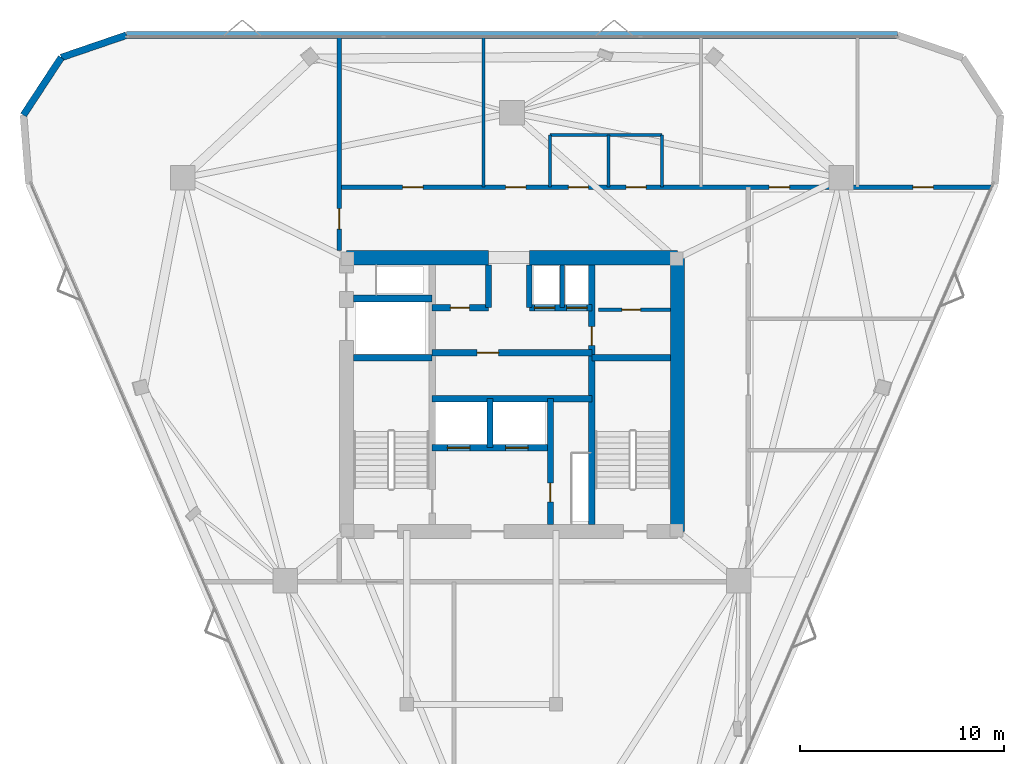
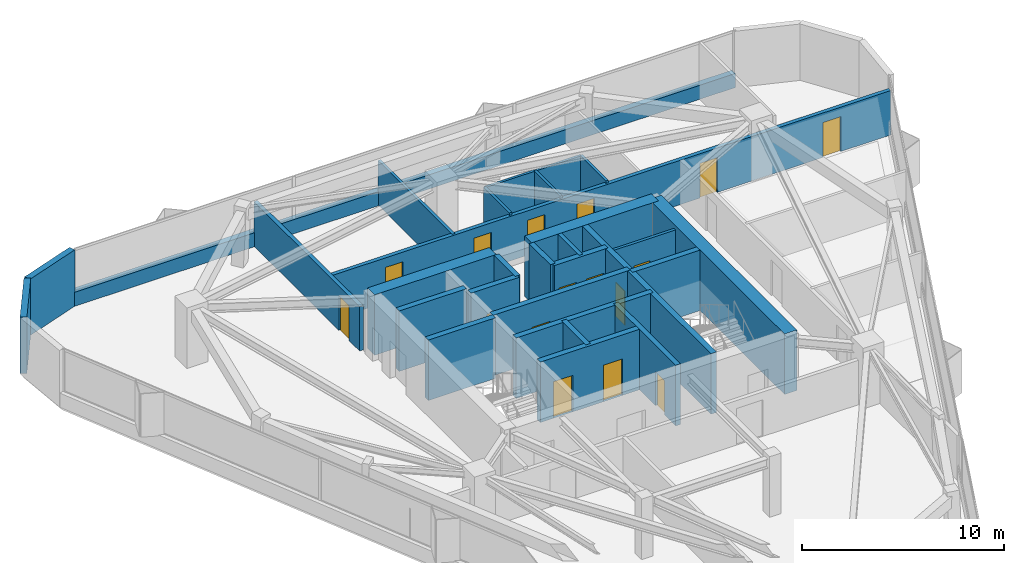
# One storey, part 9 of 11: 28 walls, 16 doors, 16 openings.
"""IFC4 building model written with IfcOpenShell, lengths in metres."""

from ifc_helpers import new_model, si_unit, direction, frame, frame_2d, origin, place, context, subcontext, project, spatial, rectangle, extrude, material, layer, layer_set, type_object, element, fill, save


model = new_model("IFC4")

# Units and contexts
model_context = context("Model", 3, precision=1e-05, world=origin(), true_north=direction((0.0, 1.0)))
body_context = subcontext(model_context, "Body", "Model", "MODEL_VIEW")
ifc_project = project(units=[si_unit("LENGTHUNIT", "METRE"), si_unit("AREAUNIT", "SQUARE_METRE"), si_unit("VOLUMEUNIT", "CUBIC_METRE"), si_unit("PLANEANGLEUNIT", "RADIAN"), si_unit("MASSUNIT", "GRAM", prefix="KILO")], contexts=[model_context])

# Site, building, storey
site_placement = place(None, origin())
site = spatial("IfcSite", under=ifc_project, at=site_placement, CompositionType="ELEMENT")
building_placement = place(site_placement, origin())
building = spatial("IfcBuilding", under=site, at=building_placement, Name="Talyreon Biosciences Tower", CompositionType="ELEMENT")
storey_placement = place(building_placement, frame((0.0, 0.0, 235.25)))
storey = spatial("IfcBuildingStorey", under=building, at=storey_placement, Name="L62", CompositionType="ELEMENT", Elevation=235.25)

# Walls
ifc_material_1 = material(Name="Concrete C50/60", Category="concrete")
ifc_layer_1 = layer(ifc_material_1, 0.219970703125)
ifc_layer_set_1 = layer_set([ifc_layer_1], Name="Concrete C50/60")
wall_type_1 = type_object("IfcWallType", Name="CoreShearWall_220", PredefinedType="SHEAR", material=ifc_layer_set_1)
wall_1_placement = place(storey_placement, frame((68.4599609375, 72.25, 0.0), z_axis=(0.0, 0.0, 1.0), x_axis=(0.0, 1.0, 0.0)))
element("IfcWall", 1, at=wall_1_placement, inside=storey, type_object=wall_type_1, Name="L62 Core Shaft Wall SWPHD", PredefinedType="SHEAR", context=body_context, shape_type="SweptSolid", body=[
    extrude(rectangle(XDim=2.10009765625, YDim=0.219970703125, at=frame_2d((1.050048828125, 0.0))), origin(), (0.0, 0.0, 1.0), 3.64990234375),
])
ifc_layer_2 = layer(ifc_material_1, 0.280029296875)
ifc_layer_set_2 = layer_set([ifc_layer_2], Name="Concrete C50/60")
wall_type_2 = type_object("IfcWallType", Name="CoreShearWall_280", PredefinedType="SHEAR", material=ifc_layer_set_2)
wall_2_placement = place(storey_placement, frame((64.919921875, 65.39990234375, 0.0), z_axis=(0.0, 0.0, 1.0), x_axis=(0.0, 1.0, 0.0)))
element("IfcWall", 2, at=wall_2_placement, inside=storey, type_object=wall_type_2, Name="L62 Core Shaft Wall SWSHD1", PredefinedType="SHEAR", context=body_context, shape_type="SweptSolid", body=[
    extrude(rectangle(XDim=2.400146484375, YDim=0.280029296875, at=frame_2d((1.2001953125, 0.0))), origin(), (0.0, 0.0, 1.0), 3.64990234375),
])
for number, where, z_axis, x_axis, name in (
    (3, (64.85009765625, 72.25, 0.0), (0.0, 0.0, 1.0), (0.0, 1.0, 0.0), "L62 Core Shaft Wall SWTHW"),
    (4, (66.85009765625, 72.25, 0.0), (0.0, 0.0, 1.0), (0.0, 1.0, 0.0), "L62 Core Shaft Wall SWTHE"),
):
    element("IfcWall", number, at=place(storey_placement, frame(where, z_axis=z_axis, x_axis=x_axis)), inside=storey, type_object=wall_type_2, Name=name, PredefinedType="SHEAR", context=body_context, shape_type="SweptSolid", body=[
        extrude(rectangle(XDim=2.10009765625, YDim=0.280029296875, at=frame_2d((1.050048828125, 0.0))), origin(), (0.0, 0.0, 1.0), 3.64990234375),
    ])

# Wall, opening, door
wall_3_placement = place(storey_placement, frame((67.8798828125, 61.64990234375, 0.0), z_axis=(0.0, 0.0, 1.0), x_axis=(0.0, 1.0, 0.0)))
wall_3 = element("IfcWall", 5, at=wall_3_placement, inside=storey, type_object=wall_type_2, Name="L62 Core Shaft Wall SWFFE", PredefinedType="SHEAR", context=body_context, shape_type="SweptSolid", body=[
    extrude(rectangle(XDim=6.150146484375, YDim=0.280029296875, at=frame_2d((3.0751953125, 0.0))), origin(), (0.0, 0.0, 1.0), 3.64990234375),
])
opening_1_placement = place(wall_3_placement, frame((1.10009765625, 0.0, 0.0)))
opening_1 = element("IfcOpeningElement", 6, at=opening_1_placement, cuts=wall_3, Name="Opening DR-L62-RSE", PredefinedType="OPENING", context=body_context, shape_type="SweptSolid", body=[
    extrude(rectangle(XDim=0.919921875, YDim=2.050048828125, at=frame_2d((0.4599609375, 1.02490234375))), frame((0.0, 0.14990234375, 0.0), z_axis=(0.0, -1.0, 0.0), x_axis=(1.0, 0.0, 0.0)), (0.0, 0.0, 1.0), 0.300048828125),
])
ifc_material_2 = material(Name="Painted steel fire-rated riser door", Category="steel")
door_type_1 = type_object("IfcDoorType", Name="RiserPlantAccessDoor_920x2050", OperationType="NOTDEFINED", PredefinedType="DOOR", material=ifc_material_2)
door_1_placement = place(opening_1_placement, origin())
door_1 = element("IfcDoor", 7, at=door_1_placement, inside=storey, type_object=door_type_1, Name="L62 Core Door DR-L62-RSE", OperationType="SINGLE_SWING_RIGHT", OverallHeight=2.050048828125, OverallWidth=0.919921875, PredefinedType="DOOR", context=body_context, shape_type="SweptSolid", body=[
    extrude(rectangle(XDim=0.919921875, YDim=2.050048828125, at=frame_2d((0.4599609375, 1.02490234375))), frame((0.0, 0.02490234375, 0.0), z_axis=(0.0, -1.0, 0.0), x_axis=(1.0, 0.0, 0.0)), (0.0, 0.0, 1.0), 0.050048828125),
])
fill(opening_1, door_1)

ifc_layer_3 = layer(ifc_material_1, 0.320068359375)
ifc_layer_set_3 = layer_set([ifc_layer_3], Name="Concrete C50/60")
wall_type_3 = type_object("IfcWallType", Name="CoreShearWall_320", PredefinedType="SHEAR", material=ifc_layer_set_3)
wall_4_placement = place(storey_placement, frame((69.909912109375, 61.64990234375, 0.0), z_axis=(0.0, 0.0, 1.0), x_axis=(0.0, 1.0, 0.0)))
wall_4 = element("IfcWall", 8, at=wall_4_placement, inside=storey, type_object=wall_type_3, Name="L62 Core Shaft Wall SW2W", PredefinedType="SHEAR", context=body_context, shape_type="SweptSolid", body=[
    extrude(rectangle(XDim=12.7001953125, YDim=0.320068359375, at=frame_2d((6.35009765625, 0.0))), origin(), (0.0, 0.0, 1.0), 3.64990234375),
])
opening_2_placement = place(wall_4_placement, frame((8.75, 0.0, 0.0)))
opening_2 = element("IfcOpeningElement", 9, at=opening_2_placement, cuts=wall_4, Name="Opening DR-L62-CSRV", PredefinedType="OPENING", context=body_context, shape_type="SweptSolid", body=[
    extrude(rectangle(XDim=0.919921875, YDim=2.050048828125, at=frame_2d((0.4599609375, 1.02490234375))), frame((0.0, 0.169921875, 0.0), z_axis=(0.0, -1.0, 0.0), x_axis=(1.0, 0.0, 0.0)), (0.0, 0.0, 1.0), 0.340087890625),
])
door_2_placement = place(opening_2_placement, origin())
door_2 = element("IfcDoor", 10, at=door_2_placement, inside=storey, type_object=door_type_1, Name="L62 Core Door DR-L62-CSRV", OperationType="SINGLE_SWING_RIGHT", OverallHeight=2.050048828125, OverallWidth=0.919921875, PredefinedType="DOOR", context=body_context, shape_type="SweptSolid", body=[
    extrude(rectangle(XDim=0.919921875, YDim=2.050048828125, at=frame_2d((0.4599609375, 1.02490234375))), frame((0.0, 0.02490234375, 0.0), z_axis=(0.0, -1.0, 0.0), x_axis=(1.0, 0.0, 0.0)), (0.0, 0.0, 1.0), 0.050048828125),
])
fill(opening_2, door_2)

# Walls
for number, where, z_axis, x_axis, name in (
    (11, (58.25, 69.81005859375, 0.0), (0.0, 0.0, 1.0), (1.0, 0.0, 0.0), "L62 Core Shaft Wall SW1N"),
    (12, (69.909912109375, 69.81005859375, 0.0), (0.0, 0.0, 1.0), (1.0, 0.0, 0.0), "L62 Core Shaft Wall SW2N"),
    (13, (58.25, 72.699951171875, 0.0), (0.0, 0.0, 1.0), (1.0, 0.0, 0.0), "L62 Core Shaft Wall SWGLN"),
):
    element("IfcWall", number, at=place(storey_placement, frame(where, z_axis=z_axis, x_axis=x_axis)), inside=storey, type_object=wall_type_3, Name=name, PredefinedType="SHEAR", context=body_context, shape_type="SweptSolid", body=[
        extrude(rectangle(XDim=3.840087890625, YDim=0.320068359375, at=frame_2d((1.919921875, 0.0))), origin(), (0.0, 0.0, 1.0), 3.64990234375),
    ])
wall_5_placement = place(storey_placement, frame((62.090087890625, 67.800048828125, 0.0), z_axis=(0.0, 0.0, 1.0), x_axis=(1.0, 0.0, 0.0)))
element("IfcWall", 14, at=wall_5_placement, inside=storey, type_object=wall_type_3, Name="L62 Core Shaft Wall SWSHM", PredefinedType="SHEAR", context=body_context, shape_type="SweptSolid", body=[
    extrude(rectangle(XDim=7.81982421875, YDim=0.320068359375, at=frame_2d((3.909912109375, 0.0))), origin(), (0.0, 0.0, 1.0), 3.64990234375),
])

# Wall, opening, door
wall_6_placement = place(storey_placement, frame((62.090087890625, 70.050048828125, 0.0), z_axis=(0.0, 0.0, 1.0), x_axis=(1.0, 0.0, 0.0)))
wall_6 = element("IfcWall", 15, at=wall_6_placement, inside=storey, type_object=wall_type_3, Name="L62 Core Shaft Wall SWSPN", PredefinedType="SHEAR", context=body_context, shape_type="SweptSolid", body=[
    extrude(rectangle(XDim=7.81982421875, YDim=0.320068359375, at=frame_2d((3.909912109375, 0.0))), origin(), (0.0, 0.0, 1.0), 3.64990234375),
])
opening_3_placement = place(wall_6_placement, frame((2.199951171875, 0.0, 0.0)))
opening_3 = element("IfcOpeningElement", 16, at=opening_3_placement, cuts=wall_6, Name="Opening DR-L62-PLPMFREE", PredefinedType="OPENING", context=body_context, shape_type="SweptSolid", body=[
    extrude(rectangle(XDim=1.050048828125, YDim=2.14990234375, at=frame_2d((0.52490234375, 1.074951171875))), frame((0.0, 0.169921875, 0.0), z_axis=(0.0, -1.0, 0.0), x_axis=(1.0, 0.0, 0.0)), (0.0, 0.0, 1.0), 0.340087890625),
])
ifc_material_3 = material(Name="Acoustic timber-core laboratory door", Category="wood")
door_type_2 = type_object("IfcDoorType", Name="DryLabSingleDoor_1050x2150", OperationType="NOTDEFINED", PredefinedType="DOOR", material=ifc_material_3)
door_3_placement = place(opening_3_placement, origin())
door_3 = element("IfcDoor", 17, at=door_3_placement, inside=storey, type_object=door_type_2, Name="L62 Core Door DR-L62-PLPMFREE", OperationType="SINGLE_SWING_LEFT", OverallHeight=2.14990234375, OverallWidth=1.050048828125, PredefinedType="DOOR", context=body_context, shape_type="SweptSolid", body=[
    extrude(rectangle(XDim=1.050048828125, YDim=2.14990234375, at=frame_2d((0.52490234375, 1.074951171875))), frame((0.0, 0.02490234375, 0.0), z_axis=(0.0, -1.0, 0.0), x_axis=(1.0, 0.0, 0.0)), (0.0, 0.0, 1.0), 0.050048828125),
])
fill(opening_3, door_3)

wall_7_placement = place(storey_placement, frame((62.090087890625, 72.25, 0.0), z_axis=(0.0, 0.0, 1.0), x_axis=(1.0, 0.0, 0.0)))
wall_7 = element("IfcWall", 18, at=wall_7_placement, inside=storey, type_object=wall_type_3, Name="L62 Core Shaft Wall SWNPW", PredefinedType="SHEAR", context=body_context, shape_type="SweptSolid", body=[
    extrude(rectangle(XDim=2.760009765625, YDim=0.320068359375, at=frame_2d((1.3798828125, 0.0))), origin(), (0.0, 0.0, 1.0), 3.64990234375),
])
opening_4_placement = place(wall_7_placement, frame((0.89990234375, 0.0, 0.0)))
opening_4 = element("IfcOpeningElement", 19, at=opening_4_placement, cuts=wall_7, Name="Opening DR-L62-PM2FREE", PredefinedType="OPENING", context=body_context, shape_type="SweptSolid", body=[
    extrude(rectangle(XDim=0.919921875, YDim=2.050048828125, at=frame_2d((0.4599609375, 1.02490234375))), frame((0.0, 0.169921875, 0.0), z_axis=(0.0, -1.0, 0.0), x_axis=(1.0, 0.0, 0.0)), (0.0, 0.0, 1.0), 0.340087890625),
])
door_4_placement = place(opening_4_placement, origin())
door_4 = element("IfcDoor", 20, at=door_4_placement, inside=storey, type_object=door_type_1, Name="L62 Core Door DR-L62-PM2FREE", OperationType="SINGLE_SWING_RIGHT", OverallHeight=2.050048828125, OverallWidth=0.919921875, PredefinedType="DOOR", context=body_context, shape_type="SweptSolid", body=[
    extrude(rectangle(XDim=0.919921875, YDim=2.050048828125, at=frame_2d((0.4599609375, 1.02490234375))), frame((0.0, 0.02490234375, 0.0), z_axis=(0.0, -1.0, 0.0), x_axis=(1.0, 0.0, 0.0)), (0.0, 0.0, 1.0), 0.050048828125),
])
fill(opening_4, door_4)

# Wall, openings, doors
wall_8_placement = place(storey_placement, frame((66.85009765625, 72.25, 0.0), z_axis=(0.0, 0.0, 1.0), x_axis=(1.0, 0.0, 0.0)))
wall_8 = element("IfcWall", 21, at=wall_8_placement, inside=storey, type_object=wall_type_3, Name="L62 Core Shaft Wall SWNPE", PredefinedType="SHEAR", context=body_context, shape_type="SweptSolid", body=[
    extrude(rectangle(XDim=3.059814453125, YDim=0.320068359375, at=frame_2d((1.52978515625, 0.0))), origin(), (0.0, 0.0, 1.0), 3.64990234375),
])
opening_5_placement = place(wall_8_placement, frame((0.25, 0.0, 0.0)))
opening_5 = element("IfcOpeningElement", 22, at=opening_5_placement, cuts=wall_8, Name="Opening LD-L62-PH1", PredefinedType="OPENING", context=body_context, shape_type="SweptSolid", body=[
    extrude(rectangle(XDim=1.0, YDim=2.199951171875, at=frame_2d((0.5, 1.10009765625))), frame((0.0, 0.169921875, 0.0), z_axis=(0.0, -1.0, 0.0), x_axis=(1.0, 0.0, 0.0)), (0.0, 0.0, 1.0), 0.340087890625),
])
opening_6_placement = place(wall_8_placement, frame((1.820068359375, 0.0, 0.0)))
opening_6 = element("IfcOpeningElement", 23, at=opening_6_placement, cuts=wall_8, Name="Opening LD-L62-PH2", PredefinedType="OPENING", context=body_context, shape_type="SweptSolid", body=[
    extrude(rectangle(XDim=1.0, YDim=2.199951171875, at=frame_2d((0.5, 1.10009765625))), frame((0.0, 0.169921875, 0.0), z_axis=(0.0, -1.0, 0.0), x_axis=(1.0, 0.0, 0.0)), (0.0, 0.0, 1.0), 0.340087890625),
])
ifc_material_4 = material(Name="Brushed stainless-steel lift landing door", Category="steel")
door_type_3 = type_object("IfcDoorType", Name="LiftSlidingLandingDoor_1100x2200", OperationType="SLIDING_TO_LEFT", PredefinedType="DOOR", material=ifc_material_4)
door_5_placement = place(opening_5_placement, origin())
door_5 = element("IfcDoor", 24, at=door_5_placement, inside=storey, type_object=door_type_3, Name="L62 Core Door LD-L62-PH1", OperationType="SLIDING_TO_LEFT", OverallHeight=2.199951171875, OverallWidth=1.0, PredefinedType="DOOR", context=body_context, shape_type="SweptSolid", body=[
    extrude(rectangle(XDim=1.0, YDim=2.199951171875, at=frame_2d((0.5, 1.10009765625))), frame((0.0, 0.02490234375, 0.0), z_axis=(0.0, -1.0, 0.0), x_axis=(1.0, 0.0, 0.0)), (0.0, 0.0, 1.0), 0.050048828125),
])
fill(opening_5, door_5)
door_6_placement = place(opening_6_placement, origin())
door_6 = element("IfcDoor", 25, at=door_6_placement, inside=storey, type_object=door_type_3, Name="L62 Core Door LD-L62-PH2", OperationType="SLIDING_TO_LEFT", OverallHeight=2.199951171875, OverallWidth=1.0, PredefinedType="DOOR", context=body_context, shape_type="SweptSolid", body=[
    extrude(rectangle(XDim=1.0, YDim=2.199951171875, at=frame_2d((0.5, 1.10009765625))), frame((0.0, 0.02490234375, 0.0), z_axis=(0.0, -1.0, 0.0), x_axis=(1.0, 0.0, 0.0)), (0.0, 0.0, 1.0), 0.050048828125),
])
fill(opening_6, door_6)

wall_9_placement = place(storey_placement, frame((62.090087890625, 65.39990234375, 0.0), z_axis=(0.0, 0.0, 1.0), x_axis=(1.0, 0.0, 0.0)))
wall_9 = element("IfcWall", 26, at=wall_9_placement, inside=storey, type_object=wall_type_3, Name="L62 Core Shaft Wall SWFFN", PredefinedType="SHEAR", context=body_context, shape_type="SweptSolid", body=[
    extrude(rectangle(XDim=5.789794921875, YDim=0.320068359375, at=frame_2d((2.89501953125, 0.0))), origin(), (0.0, 0.0, 1.0), 3.64990234375),
])
opening_7_placement = place(wall_9_placement, frame((0.75, 0.0, 0.0)))
opening_7 = element("IfcOpeningElement", 27, at=opening_7_placement, cuts=wall_9, Name="Opening LD-L62-FL1", PredefinedType="OPENING", context=body_context, shape_type="SweptSolid", body=[
    extrude(rectangle(XDim=1.10009765625, YDim=2.199951171875, at=frame_2d((0.550048828125, 1.10009765625))), frame((0.0, 0.169921875, 0.0), z_axis=(0.0, -1.0, 0.0), x_axis=(1.0, 0.0, 0.0)), (0.0, 0.0, 1.0), 0.340087890625),
])
opening_8_placement = place(wall_9_placement, frame((3.60009765625, 0.0, 0.0)))
opening_8 = element("IfcOpeningElement", 28, at=opening_8_placement, cuts=wall_9, Name="Opening LD-L62-FL2", PredefinedType="OPENING", context=body_context, shape_type="SweptSolid", body=[
    extrude(rectangle(XDim=1.10009765625, YDim=2.199951171875, at=frame_2d((0.550048828125, 1.10009765625))), frame((0.0, 0.169921875, 0.0), z_axis=(0.0, -1.0, 0.0), x_axis=(1.0, 0.0, 0.0)), (0.0, 0.0, 1.0), 0.340087890625),
])
door_7_placement = place(opening_7_placement, origin())
door_7 = element("IfcDoor", 29, at=door_7_placement, inside=storey, type_object=door_type_3, Name="L62 Core Door LD-L62-FL1", OperationType="SLIDING_TO_LEFT", OverallHeight=2.199951171875, OverallWidth=1.10009765625, PredefinedType="DOOR", context=body_context, shape_type="SweptSolid", body=[
    extrude(rectangle(XDim=1.10009765625, YDim=2.199951171875, at=frame_2d((0.550048828125, 1.10009765625))), frame((0.0, 0.02490234375, 0.0), z_axis=(0.0, -1.0, 0.0), x_axis=(1.0, 0.0, 0.0)), (0.0, 0.0, 1.0), 0.050048828125),
])
fill(opening_7, door_7)
door_8_placement = place(opening_8_placement, origin())
door_8 = element("IfcDoor", 30, at=door_8_placement, inside=storey, type_object=door_type_3, Name="L62 Core Door LD-L62-FL2", OperationType="SLIDING_TO_LEFT", OverallHeight=2.199951171875, OverallWidth=1.10009765625, PredefinedType="DOOR", context=body_context, shape_type="SweptSolid", body=[
    extrude(rectangle(XDim=1.10009765625, YDim=2.199951171875, at=frame_2d((0.550048828125, 1.10009765625))), frame((0.0, 0.02490234375, 0.0), z_axis=(0.0, -1.0, 0.0), x_axis=(1.0, 0.0, 0.0)), (0.0, 0.0, 1.0), 0.050048828125),
])
fill(opening_8, door_8)

# Walls
ifc_layer_4 = layer(ifc_material_1, 0.699951171875)
ifc_layer_set_4 = layer_set([ifc_layer_4], Name="Concrete C50/60")
wall_type_4 = type_object("IfcWallType", Name="CoreShearWall_700", PredefinedType="SHEAR", material=ifc_layer_set_4)
wall_10_placement = place(storey_placement, frame((74.10009765625, 61.300048828125, 0.0), z_axis=(0.0, 0.0, 1.0), x_axis=(0.0, 1.0, 0.0)))
element("IfcWall", 31, at=wall_10_placement, inside=storey, type_object=wall_type_4, Name="L62 Core Shear Wall E", PredefinedType="SHEAR", context=body_context, shape_type="SweptSolid", body=[
    extrude(rectangle(XDim=13.39990234375, YDim=0.699951171875, at=frame_2d((6.699951171875, 0.0))), origin(), (0.0, 0.0, 1.0), 3.64990234375),
])
wall_11_placement = place(storey_placement, frame((74.10009765625, 74.699951171875, 0.0), z_axis=(0.0, 0.0, 1.0), x_axis=(-1.0, 0.0, 0.0)))
element("IfcWall", 32, at=wall_11_placement, inside=storey, type_object=wall_type_4, Name="L62 Core Shear Wall NE", PredefinedType="SHEAR", context=body_context, shape_type="SweptSolid", body=[
    extrude(rectangle(XDim=7.25, YDim=0.699951171875, at=frame_2d((3.625, 0.0))), origin(), (0.0, 0.0, 1.0), 3.64990234375),
])
wall_12_placement = place(storey_placement, frame((64.85009765625, 74.699951171875, 0.0), z_axis=(0.0, 0.0, 1.0), x_axis=(-1.0, 0.0, 0.0)))
element("IfcWall", 33, at=wall_12_placement, inside=storey, type_object=wall_type_4, Name="L62 Core Shear Wall NW", PredefinedType="SHEAR", context=body_context, shape_type="SweptSolid", body=[
    extrude(rectangle(XDim=6.9501953125, YDim=0.699951171875, at=frame_2d((3.47509765625, 0.0))), origin(), (0.0, 0.0, 1.0), 3.64990234375),
])

# Wall, openings, doors
ifc_material_5 = material(Name="Gypsum fireboard acoustic stud", Category="gypsum")
ifc_layer_5 = layer(ifc_material_5, 0.219970703125)
ifc_layer_set_5 = layer_set([ifc_layer_5], Name="Gypsum fireboard acoustic stud")
wall_type_5 = type_object("IfcWallType", Name="CorridorRatedPartition_220", PredefinedType="PARTITIONING", material=ifc_layer_set_5)
wall_13_placement = place(storey_placement, frame((57.550048828125, 78.14990234375, 0.0), z_axis=(0.0, 0.0, 1.0), x_axis=(1.0, 0.0, 0.0)))
wall_13 = element("IfcWall", 34, at=wall_13_placement, inside=storey, type_object=wall_type_5, Name="L62 Interior Wall IW-L62-COR-N", PredefinedType="PARTITIONING", context=body_context, shape_type="SweptSolid", body=[
    extrude(rectangle(XDim=31.92529296875, YDim=0.219970703125, at=frame_2d((15.962646484375, 0.0))), origin(), (0.0, 0.0, 1.0), 2.679931640625),
])
opening_9_placement = place(wall_13_placement, frame((11.2099609375, 0.0, 0.0)))
opening_9 = element("IfcOpeningElement", 35, at=opening_9_placement, cuts=wall_13, Name="Opening DR-L62-WC", PredefinedType="OPENING", context=body_context, shape_type="SweptSolid", body=[
    extrude(rectangle(XDim=0.97998046875, YDim=2.10009765625, at=frame_2d((0.489990234375, 1.050048828125))), frame((0.0, 0.119873046875, 0.0), z_axis=(0.0, -1.0, 0.0), x_axis=(1.0, 0.0, 0.0)), (0.0, 0.0, 1.0), 0.239990234375),
])
opening_10_placement = place(wall_13_placement, frame((14.034912109375, 0.0, 0.0)))
opening_10 = element("IfcOpeningElement", 36, at=opening_10_placement, cuts=wall_13, Name="Opening DR-L62-AWC", PredefinedType="OPENING", context=body_context, shape_type="SweptSolid", body=[
    extrude(rectangle(XDim=0.97998046875, YDim=2.10009765625, at=frame_2d((0.489990234375, 1.050048828125))), frame((0.0, 0.119873046875, 0.0), z_axis=(0.0, -1.0, 0.0), x_axis=(1.0, 0.0, 0.0)), (0.0, 0.0, 1.0), 0.239990234375),
])
opening_11_placement = place(wall_13_placement, frame((3.10009765625, 0.0, 0.0)))
opening_11 = element("IfcOpeningElement", 37, at=opening_11_placement, cuts=wall_13, Name="Opening DR-L62-N1A", PredefinedType="OPENING", context=body_context, shape_type="SweptSolid", body=[
    extrude(rectangle(XDim=1.0, YDim=2.10009765625, at=frame_2d((0.5, 1.050048828125))), frame((0.0, 0.119873046875, 0.0), z_axis=(0.0, -1.0, 0.0), x_axis=(1.0, 0.0, 0.0)), (0.0, 0.0, 1.0), 0.239990234375),
])
opening_12_placement = place(wall_13_placement, frame((8.135009765625, 0.0, 0.0)))
opening_12 = element("IfcOpeningElement", 38, at=opening_12_placement, cuts=wall_13, Name="Opening DR-L62-N2A", PredefinedType="OPENING", context=body_context, shape_type="SweptSolid", body=[
    extrude(rectangle(XDim=1.0, YDim=2.10009765625, at=frame_2d((0.5, 1.050048828125))), frame((0.0, 0.119873046875, 0.0), z_axis=(0.0, -1.0, 0.0), x_axis=(1.0, 0.0, 0.0)), (0.0, 0.0, 1.0), 0.239990234375),
])
opening_13_placement = place(wall_13_placement, frame((21.030029296875, 0.0, 0.0)))
opening_13 = element("IfcOpeningElement", 39, at=opening_13_placement, cuts=wall_13, Name="Opening DR-L62-N3A", PredefinedType="OPENING", context=body_context, shape_type="SweptSolid", body=[
    extrude(rectangle(XDim=1.0, YDim=2.10009765625, at=frame_2d((0.5, 1.050048828125))), frame((0.0, 0.119873046875, 0.0), z_axis=(0.0, -1.0, 0.0), x_axis=(1.0, 0.0, 0.0)), (0.0, 0.0, 1.0), 0.239990234375),
])
opening_14_placement = place(wall_13_placement, frame((28.068115234375, 0.0, 0.0)))
opening_14 = element("IfcOpeningElement", 40, at=opening_14_placement, cuts=wall_13, Name="Opening DR-L62-N4A", PredefinedType="OPENING", context=body_context, shape_type="SweptSolid", body=[
    extrude(rectangle(XDim=1.0, YDim=2.10009765625, at=frame_2d((0.5, 1.050048828125))), frame((0.0, 0.119873046875, 0.0), z_axis=(0.0, -1.0, 0.0), x_axis=(1.0, 0.0, 0.0)), (0.0, 0.0, 1.0), 0.239990234375),
])
ifc_material_6 = material(Name="Laminate moisture-resistant door", Category="wood")
door_type_4 = type_object("IfcDoorType", Name="AccessibleToiletDoor_980x2100", OperationType="NOTDEFINED", PredefinedType="DOOR", material=ifc_material_6)
door_9_placement = place(opening_9_placement, origin())
door_9 = element("IfcDoor", 41, at=door_9_placement, inside=storey, type_object=door_type_4, Name="L62 Interior Door DR-L62-WC", OperationType="SINGLE_SWING_LEFT", OverallHeight=2.10009765625, OverallWidth=0.97998046875, PredefinedType="DOOR", context=body_context, shape_type="SweptSolid", body=[
    extrude(rectangle(XDim=0.97998046875, YDim=2.10009765625, at=frame_2d((0.489990234375, 1.050048828125))), frame((0.0, 0.02490234375, 0.0), z_axis=(0.0, -1.0, 0.0), x_axis=(1.0, 0.0, 0.0)), (0.0, 0.0, 1.0), 0.050048828125),
])
fill(opening_9, door_9)
door_10_placement = place(opening_10_placement, origin())
door_10 = element("IfcDoor", 42, at=door_10_placement, inside=storey, type_object=door_type_4, Name="L62 Interior Door DR-L62-AWC", OperationType="SINGLE_SWING_LEFT", OverallHeight=2.10009765625, OverallWidth=0.97998046875, PredefinedType="DOOR", context=body_context, shape_type="SweptSolid", body=[
    extrude(rectangle(XDim=0.97998046875, YDim=2.10009765625, at=frame_2d((0.489990234375, 1.050048828125))), frame((0.0, 0.02490234375, 0.0), z_axis=(0.0, -1.0, 0.0), x_axis=(1.0, 0.0, 0.0)), (0.0, 0.0, 1.0), 0.050048828125),
])
fill(opening_10, door_10)
ifc_material_7 = material(Name="Acoustic oak veneer office door", Category="wood")
door_type_5 = type_object("IfcDoorType", Name="WriteupOfficeDoor_1000x2100", OperationType="NOTDEFINED", PredefinedType="DOOR", material=ifc_material_7)
door_11_placement = place(opening_11_placement, origin())
door_11 = element("IfcDoor", 43, at=door_11_placement, inside=storey, type_object=door_type_5, Name="L62 Interior Door DR-L62-N1A", OperationType="SINGLE_SWING_LEFT", OverallHeight=2.10009765625, OverallWidth=1.0, PredefinedType="DOOR", context=body_context, shape_type="SweptSolid", body=[
    extrude(rectangle(XDim=1.0, YDim=2.10009765625, at=frame_2d((0.5, 1.050048828125))), frame((0.0, 0.02490234375, 0.0), z_axis=(0.0, -1.0, 0.0), x_axis=(1.0, 0.0, 0.0)), (0.0, 0.0, 1.0), 0.050048828125),
])
fill(opening_11, door_11)
door_12_placement = place(opening_12_placement, origin())
door_12 = element("IfcDoor", 44, at=door_12_placement, inside=storey, type_object=door_type_5, Name="L62 Interior Door DR-L62-N2A", OperationType="SINGLE_SWING_RIGHT", OverallHeight=2.10009765625, OverallWidth=1.0, PredefinedType="DOOR", context=body_context, shape_type="SweptSolid", body=[
    extrude(rectangle(XDim=1.0, YDim=2.10009765625, at=frame_2d((0.5, 1.050048828125))), frame((0.0, 0.02490234375, 0.0), z_axis=(0.0, -1.0, 0.0), x_axis=(1.0, 0.0, 0.0)), (0.0, 0.0, 1.0), 0.050048828125),
])
fill(opening_12, door_12)
door_13_placement = place(opening_13_placement, origin())
door_13 = element("IfcDoor", 45, at=door_13_placement, inside=storey, type_object=door_type_5, Name="L62 Interior Door DR-L62-N3A", OperationType="SINGLE_SWING_RIGHT", OverallHeight=2.10009765625, OverallWidth=1.0, PredefinedType="DOOR", context=body_context, shape_type="SweptSolid", body=[
    extrude(rectangle(XDim=1.0, YDim=2.10009765625, at=frame_2d((0.5, 1.050048828125))), frame((0.0, 0.02490234375, 0.0), z_axis=(0.0, -1.0, 0.0), x_axis=(1.0, 0.0, 0.0)), (0.0, 0.0, 1.0), 0.050048828125),
])
fill(opening_13, door_13)
door_14_placement = place(opening_14_placement, origin())
door_14 = element("IfcDoor", 46, at=door_14_placement, inside=storey, type_object=door_type_5, Name="L62 Interior Door DR-L62-N4A", OperationType="SINGLE_SWING_LEFT", OverallHeight=2.10009765625, OverallWidth=1.0, PredefinedType="DOOR", context=body_context, shape_type="SweptSolid", body=[
    extrude(rectangle(XDim=1.0, YDim=2.10009765625, at=frame_2d((0.5, 1.050048828125))), frame((0.0, 0.02490234375, 0.0), z_axis=(0.0, -1.0, 0.0), x_axis=(1.0, 0.0, 0.0)), (0.0, 0.0, 1.0), 0.050048828125),
])
fill(opening_14, door_14)

# Wall, opening, door
wall_14_placement = place(storey_placement, frame((57.550048828125, 75.050048828125, 0.0), z_axis=(0.0, 0.0, 1.0), x_axis=(0.0, 1.0, 0.0)))
wall_14 = element("IfcWall", 47, at=wall_14_placement, inside=storey, type_object=wall_type_5, Name="L62 Interior Wall IW-L62-WCAP-N", PredefinedType="PARTITIONING", context=body_context, shape_type="SweptSolid", body=[
    extrude(rectangle(XDim=10.44970703125, YDim=0.219970703125, at=frame_2d((5.224853515625, 0.0))), origin(), (0.0, 0.0, 1.0), 2.679931640625),
])
opening_15_placement = place(wall_14_placement, frame((1.050048828125, 0.0, 0.0)))
opening_15 = element("IfcOpeningElement", 48, at=opening_15_placement, cuts=wall_14, Name="Opening DR-L62-W1A", PredefinedType="OPENING", context=body_context, shape_type="SweptSolid", body=[
    extrude(rectangle(XDim=1.0, YDim=2.10009765625, at=frame_2d((0.5, 1.050048828125))), frame((0.0, 0.119873046875, 0.0), z_axis=(0.0, -1.0, 0.0), x_axis=(1.0, 0.0, 0.0)), (0.0, 0.0, 1.0), 0.239990234375),
])
door_15_placement = place(opening_15_placement, origin())
door_15 = element("IfcDoor", 49, at=door_15_placement, inside=storey, type_object=door_type_5, Name="L62 Interior Door DR-L62-W1A", OperationType="SINGLE_SWING_LEFT", OverallHeight=2.10009765625, OverallWidth=1.0, PredefinedType="DOOR", context=body_context, shape_type="SweptSolid", body=[
    extrude(rectangle(XDim=1.0, YDim=2.10009765625, at=frame_2d((0.5, 1.050048828125))), frame((0.0, 0.02490234375, 0.0), z_axis=(0.0, -1.0, 0.0), x_axis=(1.0, 0.0, 0.0)), (0.0, 0.0, 1.0), 0.050048828125),
])
fill(opening_15, door_15)

ifc_material_8 = material(Name="Gypsum acoustic stud partition", Category="gypsum")
ifc_layer_6 = layer(ifc_material_8, 0.159912109375)
ifc_layer_set_6 = layer_set([ifc_layer_6], Name="Gypsum acoustic stud partition")
wall_type_6 = type_object("IfcWallType", Name="LabSeparationPartition_160", PredefinedType="PARTITIONING", material=ifc_layer_set_6)
wall_15_placement = place(storey_placement, frame((70.22998046875, 72.14990234375, 0.0), z_axis=(0.0, 0.0, 1.0), x_axis=(1.0, 0.0, 0.0)))
wall_15 = element("IfcWall", 50, at=wall_15_placement, inside=storey, type_object=wall_type_6, Name="L62 Interior Wall IW-L62-CSRV-H", PredefinedType="PARTITIONING", context=body_context, shape_type="SweptSolid", body=[
    extrude(rectangle(XDim=3.52001953125, YDim=0.159912109375, at=frame_2d((1.760009765625, 0.0))), origin(), (0.0, 0.0, 1.0), 3.39990234375),
])
opening_16_placement = place(wall_15_placement, frame((1.14990234375, 0.0, 0.0)))
opening_16 = element("IfcOpeningElement", 51, at=opening_16_placement, cuts=wall_15, Name="Opening DR-L62-CSRV-I", PredefinedType="OPENING", context=body_context, shape_type="SweptSolid", body=[
    extrude(rectangle(XDim=0.919921875, YDim=2.050048828125, at=frame_2d((0.4599609375, 1.02490234375))), frame((0.0, 0.08984375, 0.0), z_axis=(0.0, -1.0, 0.0), x_axis=(1.0, 0.0, 0.0)), (0.0, 0.0, 1.0), 0.179931640625),
])
door_16_placement = place(opening_16_placement, origin())
door_16 = element("IfcDoor", 52, at=door_16_placement, inside=storey, type_object=door_type_1, Name="L62 Interior Door DR-L62-CSRV-I", OperationType="SINGLE_SWING_LEFT", OverallHeight=2.050048828125, OverallWidth=0.919921875, PredefinedType="DOOR", context=body_context, shape_type="SweptSolid", body=[
    extrude(rectangle(XDim=0.919921875, YDim=2.050048828125, at=frame_2d((0.4599609375, 1.02490234375))), frame((0.0, 0.02490234375, 0.0), z_axis=(0.0, -1.0, 0.0), x_axis=(1.0, 0.0, 0.0)), (0.0, 0.0, 1.0), 0.050048828125),
])
fill(opening_16, door_16)

# Walls
wall_16_placement = place(storey_placement, frame((64.60009765625, 78.14990234375, 0.0), z_axis=(0.0, 0.0, 1.0), x_axis=(0.0, 1.0, 0.0)))
element("IfcWall", 53, at=wall_16_placement, inside=storey, type_object=wall_type_6, Name="L62 Interior Wall IW-L62-NDIV1", PredefinedType="PARTITIONING", context=body_context, shape_type="SweptSolid", body=[
    extrude(rectangle(XDim=7.349853515625, YDim=0.159912109375, at=frame_2d((3.6748046875, 0.0))), origin(), (0.0, 0.0, 1.0), 2.679931640625),
])
ifc_material_9 = material(Name="Precast concrete C45/55", Category="concrete")
ifc_layer_7 = layer(ifc_material_9, 0.340087890625)
ifc_layer_set_7 = layer_set([ifc_layer_7], Name="Precast concrete C45/55")
wall_type_7 = type_object("IfcWallType", Name="PrecastConcreteSpandrelWall_340", PredefinedType="STANDARD", material=ifc_layer_set_7)
wall_17_placement = place(storey_placement, frame((42.093505859375, 81.67529296875, 0.0), z_axis=(0.0, 0.0, 1.0), x_axis=(0.548700748562, 0.836018832639, 0.0)))
element("IfcWall", 54, at=wall_17_placement, inside=storey, type_object=wall_type_7, Name="L62 Rounded-Corner Concrete Pier 02", PredefinedType="STANDARD", context=body_context, shape_type="SweptSolid", body=[
    extrude(rectangle(XDim=3.3701171875, YDim=0.340087890625, at=frame_2d((1.68505859375, 0.0))), origin(), (0.0, 0.0, 1.0), 3.39990234375),
])
wall_18_placement = place(storey_placement, frame((43.942626953125, 84.49267578125, 0.0), z_axis=(0.0, 0.0, 1.0), x_axis=(0.946035452073, 0.324063147275, 0.0)))
element("IfcWall", 55, at=wall_18_placement, inside=storey, type_object=wall_type_7, Name="L62 Rounded-Corner Concrete Pier 03", PredefinedType="STANDARD", context=body_context, shape_type="SweptSolid", body=[
    extrude(rectangle(XDim=3.369873046875, YDim=0.340087890625, at=frame_2d((1.68505859375, 0.0))), origin(), (0.0, 0.0, 1.0), 3.39990234375),
])
wall_19_placement = place(storey_placement, frame((47.130615234375, 85.584716796875, 0.0), z_axis=(0.0, 0.0, 1.0), x_axis=(1.0, 0.0, 0.0)))
element("IfcWall", 56, at=wall_19_placement, inside=storey, type_object=wall_type_7, Name="L62 Expressed Concrete Sill Wall 04", PredefinedType="STANDARD", context=body_context, shape_type="SweptSolid", body=[
    extrude(rectangle(XDim=37.738525390625, YDim=0.340087890625, at=frame_2d((18.869140625, 0.0))), origin(), (0.0, 0.0, 1.0), 0.85009765625),
])
ifc_material_10 = material(Name="Moisture-resistant cement-board stud", Category="gypsum")
ifc_layer_8 = layer(ifc_material_10, 0.14501953125)
ifc_layer_set_8 = layer_set([ifc_layer_8], Name="Moisture-resistant cement-board stud")
wall_type_8 = type_object("IfcWallType", Name="WetRoomPartition_145", PredefinedType="PARTITIONING", material=ifc_layer_set_8)
for number, where, z_axis, x_axis, name in (
    (57, (67.85009765625, 78.14990234375, 0.0), (0.0, 0.0, 1.0), (0.0, 1.0, 0.0), "L62 Interior Wall IW-L62-WCL"),
    (58, (70.72509765625, 78.14990234375, 0.0), (0.0, 0.0, 1.0), (0.0, 1.0, 0.0), "L62 Interior Wall IW-L62-WCM"),
    (59, (73.35009765625, 78.14990234375, 0.0), (0.0, 0.0, 1.0), (0.0, 1.0, 0.0), "L62 Interior Wall IW-L62-WCR"),
):
    element("IfcWall", number, at=place(storey_placement, frame(where, z_axis=z_axis, x_axis=x_axis)), inside=storey, type_object=wall_type_8, Name=name, PredefinedType="PARTITIONING", context=body_context, shape_type="SweptSolid", body=[
        extrude(rectangle(XDim=2.550048828125, YDim=0.14501953125, at=frame_2d((1.27490234375, 0.0))), origin(), (0.0, 0.0, 1.0), 2.830078125),
    ])
wall_20_placement = place(storey_placement, frame((67.85009765625, 80.699951171875, 0.0), z_axis=(0.0, 0.0, 1.0), x_axis=(1.0, 0.0, 0.0)))
element("IfcWall", 60, at=wall_20_placement, inside=storey, type_object=wall_type_8, Name="L62 Interior Wall IW-L62-WCT", PredefinedType="PARTITIONING", context=body_context, shape_type="SweptSolid", body=[
    extrude(rectangle(XDim=5.5, YDim=0.14501953125, at=frame_2d((2.75, 0.0))), origin(), (0.0, 0.0, 1.0), 2.830078125),
])

save(model, "model.ifc")
